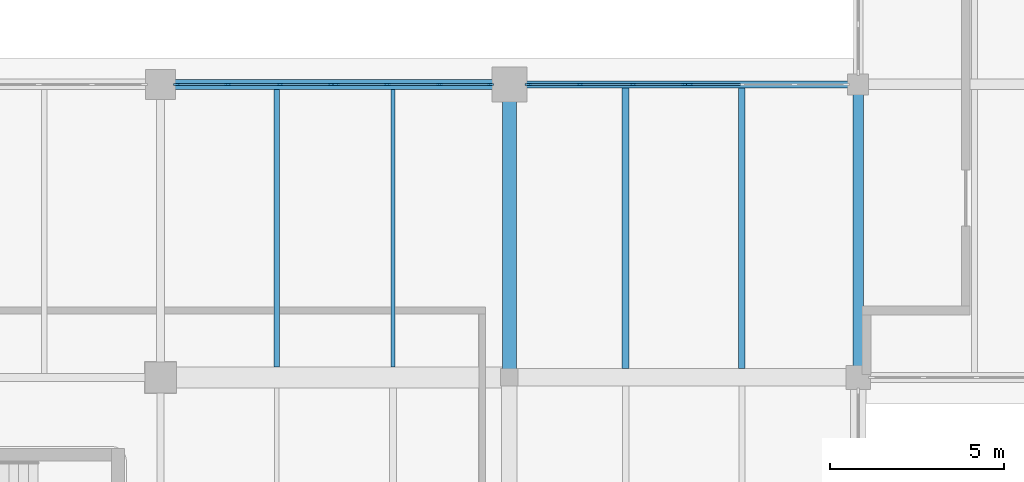
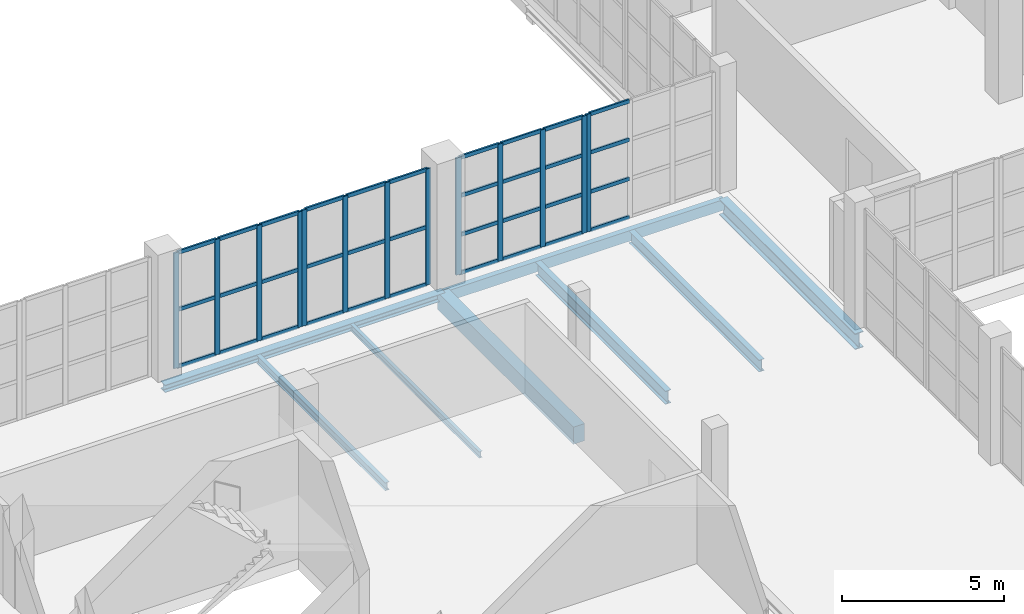
# One storey, part 66 of 121: 47 members, 8 beams, 4 elements without a shape of their own.
"""IFC4 building model written with IfcOpenShell, lengths in metres."""

from ifc_helpers import new_model, si_unit, direction, frame, origin, origin_2d, place, context, subcontext, project, spatial, rectangle, hollow_rectangle, i_section, extrude, material, layer, layer_set, material_profile, profile_set, type_object, element, aggregate, save


model = new_model("IFC4")

# Units and contexts
model_context = context("Model", 3, precision=1e-05, world=origin(), true_north=direction((0.0, 1.0)))
body_context = subcontext(model_context, "Body", "Model", "MODEL_VIEW")
ifc_project = project(units=[si_unit("LENGTHUNIT", "METRE"), si_unit("AREAUNIT", "SQUARE_METRE"), si_unit("VOLUMEUNIT", "CUBIC_METRE"), si_unit("PLANEANGLEUNIT", "RADIAN"), si_unit("MASSUNIT", "GRAM", prefix="KILO")], contexts=[model_context])

# Site, building, storey
site_placement = place(None, origin())
site = spatial("IfcSite", under=ifc_project, at=site_placement, CompositionType="ELEMENT")
building_placement = place(site_placement, origin())
building = spatial("IfcBuilding", under=site, at=building_placement, Name="Zereglee Splitstone Museum", CompositionType="ELEMENT")
storey_placement = place(building_placement, origin())
storey = spatial("IfcBuildingStorey", under=building, at=storey_placement, Name="L00", CompositionType="ELEMENT", Elevation=0.0)

# Beam
ifc_material_1 = material(Name="Concrete C40/50", Category="concrete")
ifc_material_profile_1 = material_profile(ifc_material_1, rectangle(XDim=0.39990234375, YDim=0.64990234375, at=origin_2d()), Name="RC 400x650")
ifc_profile_set_1 = profile_set([ifc_material_profile_1], Name="Concrete C40/50")
beam_type_1 = type_object("IfcBeamType", Name="BG-04", PredefinedType="BEAM", material=ifc_profile_set_1)
beam_1_placement = place(storey_placement, frame((286.0, 30.0, -0.7451171875), z_axis=(0.0, 1.0, 0.0), x_axis=(-1.0, 0.0, 0.0)))
element("IfcBeam", 1, at=beam_1_placement, inside=storey, type_object=beam_type_1, Name="Primary Girder L00 32 (30.0-38.4)", PredefinedType="BEAM", context=body_context, shape_type="SweptSolid", body=[
    extrude(rectangle(XDim=0.39990234375, YDim=0.64990234375, at=origin_2d()), origin(), (0.0, 0.0, 1.0), 8.39990234375),
])

# Curtain wall, member
ifc_material_2 = material(Name="Triple-glazed low-E argon glass and bronze-anodised aluminium", Category="aluminium")
ifc_layer_1 = layer(ifc_material_2, 0.179931640625)
ifc_layer_set_1 = layer_set([ifc_layer_1], Name="Triple-glazed low-E argon glass and bronze-anodised aluminium")
curtain_wall_type_1 = type_object("IfcCurtainWallType", Name="CW-0455-444", PredefinedType="USERDEFINED", material=ifc_layer_set_1)
curtain_wall_1_placement = place(storey_placement, origin())
curtain_wall_1 = element("IfcCurtainWall", 2, at=curtain_wall_1_placement, inside=storey, type_object=curtain_wall_type_1, Name="Glazed Curtain Wall CW-0455-444 (L00)", ObjectType="GLAZED CURTAIN WALL", PredefinedType="USERDEFINED")
ifc_material_3 = material(Name="Thermally broken bronze-anodised aluminium", Category="aluminium")
ifc_material_profile_2 = material_profile(ifc_material_3, rectangle(XDim=0.06494140625, YDim=0.179931640625, at=origin_2d()), Name="CW MULL 65x180")
ifc_profile_set_2 = profile_set([ifc_material_profile_2], Name="Thermally broken bronze-anodised aluminium")
member_type_1 = type_object("IfcMemberType", Name="CWM-01", PredefinedType="MULLION", material=ifc_profile_set_2)
member_1_placement = place(storey_placement, frame((291.172607421875, 38.39990234375, 0.0), z_axis=(0.0, 0.0, 1.0), x_axis=(0.0, -1.0, 0.0)))
member_1 = element("IfcMember", 3, at=member_1_placement, type_object=member_type_1, Name="CW-0455-444 mullion 4", PredefinedType="MULLION", context=body_context, shape_type="SweptSolid", body=[
    extrude(rectangle(XDim=0.06494140625, YDim=0.179931640625, at=origin_2d()), origin(), (0.0, 0.0, 1.0), 4.43994140625),
])

# Curtain wall, members
ifc_layer_2 = layer(ifc_material_2, 0.179931640625)
ifc_layer_set_2 = layer_set([ifc_layer_2], Name="Triple-glazed low-E argon glass and bronze-anodised aluminium")
curtain_wall_type_2 = type_object("IfcCurtainWallType", Name="CW-0455-442", PredefinedType="USERDEFINED", material=ifc_layer_set_2)
curtain_wall_2_placement = place(storey_placement, origin())
curtain_wall_2 = element("IfcCurtainWall", 4, at=curtain_wall_2_placement, inside=storey, type_object=curtain_wall_type_2, Name="Glazed Curtain Wall CW-0455-442 (L00)", ObjectType="GLAZED CURTAIN WALL", PredefinedType="USERDEFINED")
member_2_placement = place(storey_placement, frame((291.027587890625, 38.39990234375, 0.0), z_axis=(0.0, 0.0, 1.0), x_axis=(0.0, -1.0, 0.0)))
member_2 = element("IfcMember", 5, at=member_2_placement, type_object=member_type_1, Name="CW-0455-442 mullion 1", PredefinedType="MULLION", context=body_context, shape_type="SweptSolid", body=[
    extrude(rectangle(XDim=0.06494140625, YDim=0.179931640625, at=origin_2d()), origin(), (0.0, 0.0, 1.0), 4.419921875),
])
member_3_placement = place(storey_placement, frame((289.542724609375, 38.39990234375, 0.0), z_axis=(0.0, 0.0, 1.0), x_axis=(0.0, -1.0, 0.0)))
member_3 = element("IfcMember", 6, at=member_3_placement, type_object=member_type_1, Name="CW-0455-442 mullion 2", PredefinedType="MULLION", context=body_context, shape_type="SweptSolid", body=[
    extrude(rectangle(XDim=0.06494140625, YDim=0.179931640625, at=origin_2d()), origin(), (0.0, 0.0, 1.0), 4.419921875),
])
member_4_placement = place(storey_placement, frame((288.025390625, 38.39990234375, 0.0), z_axis=(0.0, 0.0, 1.0), x_axis=(0.0, -1.0, 0.0)))
member_4 = element("IfcMember", 7, at=member_4_placement, type_object=member_type_1, Name="CW-0455-442 mullion 3", PredefinedType="MULLION", context=body_context, shape_type="SweptSolid", body=[
    extrude(rectangle(XDim=0.06494140625, YDim=0.179931640625, at=origin_2d()), origin(), (0.0, 0.0, 1.0), 4.419921875),
])
member_5_placement = place(storey_placement, frame((286.54052734375, 38.39990234375, 0.0), z_axis=(0.0, 0.0, 1.0), x_axis=(0.0, -1.0, 0.0)))
member_5 = element("IfcMember", 8, at=member_5_placement, type_object=member_type_1, Name="CW-0455-442 mullion 4", PredefinedType="MULLION", context=body_context, shape_type="SweptSolid", body=[
    extrude(rectangle(XDim=0.06494140625, YDim=0.179931640625, at=origin_2d()), origin(), (0.0, 0.0, 1.0), 4.419921875),
])

ifc_layer_3 = layer(ifc_material_2, 0.179931640625)
ifc_layer_set_3 = layer_set([ifc_layer_3], Name="Triple-glazed low-E argon glass and bronze-anodised aluminium")
curtain_wall_type_3 = type_object("IfcCurtainWallType", Name="CW-0449-438", PredefinedType="USERDEFINED", material=ifc_layer_set_3)
curtain_wall_3_placement = place(storey_placement, origin())
curtain_wall_3 = element("IfcCurtainWall", 9, at=curtain_wall_3_placement, inside=storey, type_object=curtain_wall_type_3, Name="Glazed Curtain Wall CW-0449-438 (L00)", ObjectType="GLAZED CURTAIN WALL", PredefinedType="USERDEFINED")
member_6_placement = place(storey_placement, frame((285.45947265625, 38.39990234375, 0.0), z_axis=(0.0, 0.0, 1.0), x_axis=(0.0, -1.0, 0.0)))
member_6 = element("IfcMember", 10, at=member_6_placement, type_object=member_type_1, Name="CW-0449-438 mullion 1", PredefinedType="MULLION", context=body_context, shape_type="SweptSolid", body=[
    extrude(rectangle(XDim=0.06494140625, YDim=0.179931640625, at=origin_2d()), origin(), (0.0, 0.0, 1.0), 4.3798828125),
])
member_7_placement = place(storey_placement, frame((283.99560546875, 38.39990234375, 0.0), z_axis=(0.0, 0.0, 1.0), x_axis=(0.0, -1.0, 0.0)))
member_7 = element("IfcMember", 11, at=member_7_placement, type_object=member_type_1, Name="CW-0449-438 mullion 2", PredefinedType="MULLION", context=body_context, shape_type="SweptSolid", body=[
    extrude(rectangle(XDim=0.06494140625, YDim=0.179931640625, at=origin_2d()), origin(), (0.0, 0.0, 1.0), 4.3798828125),
])
member_8_placement = place(storey_placement, frame((282.4990234375, 38.39990234375, 0.0), z_axis=(0.0, 0.0, 1.0), x_axis=(0.0, -1.0, 0.0)))
member_8 = element("IfcMember", 12, at=member_8_placement, type_object=member_type_1, Name="CW-0449-438 mullion 3", PredefinedType="MULLION", context=body_context, shape_type="SweptSolid", body=[
    extrude(rectangle(XDim=0.06494140625, YDim=0.179931640625, at=origin_2d()), origin(), (0.0, 0.0, 1.0), 4.3798828125),
])
member_9_placement = place(storey_placement, frame((281.034912109375, 38.39990234375, 0.0), z_axis=(0.0, 0.0, 1.0), x_axis=(0.0, -1.0, 0.0)))
member_9 = element("IfcMember", 13, at=member_9_placement, type_object=member_type_1, Name="CW-0449-438 mullion 4", PredefinedType="MULLION", context=body_context, shape_type="SweptSolid", body=[
    extrude(rectangle(XDim=0.06494140625, YDim=0.179931640625, at=origin_2d()), origin(), (0.0, 0.0, 1.0), 4.3798828125),
])

ifc_layer_4 = layer(ifc_material_2, 0.179931640625)
ifc_layer_set_4 = layer_set([ifc_layer_4], Name="Triple-glazed low-E argon glass and bronze-anodised aluminium")
curtain_wall_type_4 = type_object("IfcCurtainWallType", Name="CW-0449-436", PredefinedType="USERDEFINED", material=ifc_layer_set_4)
curtain_wall_4_placement = place(storey_placement, origin())
curtain_wall_4 = element("IfcCurtainWall", 14, at=curtain_wall_4_placement, inside=storey, type_object=curtain_wall_type_4, Name="Glazed Curtain Wall CW-0449-436 (L00)", ObjectType="GLAZED CURTAIN WALL", PredefinedType="USERDEFINED")
member_10_placement = place(storey_placement, frame((280.889892578125, 38.39990234375, 0.0), z_axis=(0.0, 0.0, 1.0), x_axis=(0.0, -1.0, 0.0)))
member_10 = element("IfcMember", 15, at=member_10_placement, type_object=member_type_1, Name="CW-0449-436 mullion 1", PredefinedType="MULLION", context=body_context, shape_type="SweptSolid", body=[
    extrude(rectangle(XDim=0.06494140625, YDim=0.179931640625, at=origin_2d()), origin(), (0.0, 0.0, 1.0), 4.360107421875),
])
member_11_placement = place(storey_placement, frame((279.426025390625, 38.39990234375, 0.0), z_axis=(0.0, 0.0, 1.0), x_axis=(0.0, -1.0, 0.0)))
member_11 = element("IfcMember", 16, at=member_11_placement, type_object=member_type_1, Name="CW-0449-436 mullion 2", PredefinedType="MULLION", context=body_context, shape_type="SweptSolid", body=[
    extrude(rectangle(XDim=0.06494140625, YDim=0.179931640625, at=origin_2d()), origin(), (0.0, 0.0, 1.0), 4.360107421875),
])
member_12_placement = place(storey_placement, frame((277.929443359375, 38.39990234375, 0.0), z_axis=(0.0, 0.0, 1.0), x_axis=(0.0, -1.0, 0.0)))
member_12 = element("IfcMember", 17, at=member_12_placement, type_object=member_type_1, Name="CW-0449-436 mullion 3", PredefinedType="MULLION", context=body_context, shape_type="SweptSolid", body=[
    extrude(rectangle(XDim=0.06494140625, YDim=0.179931640625, at=origin_2d()), origin(), (0.0, 0.0, 1.0), 4.360107421875),
])
member_13_placement = place(storey_placement, frame((276.465576171875, 38.39990234375, 0.0), z_axis=(0.0, 0.0, 1.0), x_axis=(0.0, -1.0, 0.0)))
member_13 = element("IfcMember", 18, at=member_13_placement, type_object=member_type_1, Name="CW-0449-436 mullion 4", PredefinedType="MULLION", context=body_context, shape_type="SweptSolid", body=[
    extrude(rectangle(XDim=0.06494140625, YDim=0.179931640625, at=origin_2d()), origin(), (0.0, 0.0, 1.0), 4.360107421875),
])

# Member
ifc_material_profile_3 = material_profile(ifc_material_3, rectangle(XDim=0.06494140625, YDim=0.139892578125, at=origin_2d()), Name="CW TRAN 65x140")
ifc_profile_set_3 = profile_set([ifc_material_profile_3], Name="Thermally broken bronze-anodised aluminium")
member_type_2 = type_object("IfcMemberType", Name="CWT-01", PredefinedType="USERDEFINED", material=ifc_profile_set_3)
member_14_placement = place(storey_placement, frame((292.624755859375, 38.39990234375, 0.032470703125), z_axis=(-1.0, 0.0, 0.0), x_axis=(0.0, -1.0, 0.0)))
member_14 = element("IfcMember", 19, at=member_14_placement, type_object=member_type_2, Name="CW-0455-444 transom 3.1", ObjectType="TRANSOM", PredefinedType="USERDEFINED", context=body_context, shape_type="SweptSolid", body=[
    extrude(rectangle(XDim=0.06494140625, YDim=0.139892578125, at=origin_2d()), origin(), (0.0, 0.0, 1.0), 1.419677734375),
])

member_15_placement = place(storey_placement, frame((292.624755859375, 38.39990234375, 1.47998046875), z_axis=(-1.0, 0.0, 0.0), x_axis=(0.0, -1.0, 0.0)))
member_15 = element("IfcMember", 20, at=member_15_placement, type_object=member_type_2, Name="CW-0455-444 transom 3.2", ObjectType="TRANSOM", PredefinedType="USERDEFINED", context=body_context, shape_type="SweptSolid", body=[
    extrude(rectangle(XDim=0.06494140625, YDim=0.139892578125, at=origin_2d()), origin(), (0.0, 0.0, 1.0), 1.419677734375),
])

member_16_placement = place(storey_placement, frame((292.624755859375, 38.39990234375, 2.9599609375), z_axis=(-1.0, 0.0, 0.0), x_axis=(0.0, -1.0, 0.0)))
member_16 = element("IfcMember", 21, at=member_16_placement, type_object=member_type_2, Name="CW-0455-444 transom 3.3", ObjectType="TRANSOM", PredefinedType="USERDEFINED", context=body_context, shape_type="SweptSolid", body=[
    extrude(rectangle(XDim=0.06494140625, YDim=0.139892578125, at=origin_2d()), origin(), (0.0, 0.0, 1.0), 1.419677734375),
])

member_17_placement = place(storey_placement, frame((292.624755859375, 38.39990234375, 4.407470703125), z_axis=(-1.0, 0.0, 0.0), x_axis=(0.0, -1.0, 0.0)))
member_17 = element("IfcMember", 22, at=member_17_placement, type_object=member_type_2, Name="CW-0455-444 transom 3.4", ObjectType="TRANSOM", PredefinedType="USERDEFINED", context=body_context, shape_type="SweptSolid", body=[
    extrude(rectangle(XDim=0.06494140625, YDim=0.139892578125, at=origin_2d()), origin(), (0.0, 0.0, 1.0), 1.419677734375),
])

aggregate(curtain_wall_1, [member_1, member_14, member_15, member_16, member_17])

member_18_placement = place(storey_placement, frame((290.9951171875, 38.39990234375, 0.032470703125), z_axis=(-1.0, 0.0, 0.0), x_axis=(0.0, -1.0, 0.0)))
member_18 = element("IfcMember", 23, at=member_18_placement, type_object=member_type_2, Name="CW-0455-442 transom 1.1", ObjectType="TRANSOM", PredefinedType="USERDEFINED", context=body_context, shape_type="SweptSolid", body=[
    extrude(rectangle(XDim=0.06494140625, YDim=0.139892578125, at=origin_2d()), origin(), (0.0, 0.0, 1.0), 1.419921875),
])

member_19_placement = place(storey_placement, frame((290.9951171875, 38.39990234375, 1.473388671875), z_axis=(-1.0, 0.0, 0.0), x_axis=(0.0, -1.0, 0.0)))
member_19 = element("IfcMember", 24, at=member_19_placement, type_object=member_type_2, Name="CW-0455-442 transom 1.2", ObjectType="TRANSOM", PredefinedType="USERDEFINED", context=body_context, shape_type="SweptSolid", body=[
    extrude(rectangle(XDim=0.06494140625, YDim=0.139892578125, at=origin_2d()), origin(), (0.0, 0.0, 1.0), 1.419921875),
])

member_20_placement = place(storey_placement, frame((290.9951171875, 38.39990234375, 2.94677734375), z_axis=(-1.0, 0.0, 0.0), x_axis=(0.0, -1.0, 0.0)))
member_20 = element("IfcMember", 25, at=member_20_placement, type_object=member_type_2, Name="CW-0455-442 transom 1.3", ObjectType="TRANSOM", PredefinedType="USERDEFINED", context=body_context, shape_type="SweptSolid", body=[
    extrude(rectangle(XDim=0.06494140625, YDim=0.139892578125, at=origin_2d()), origin(), (0.0, 0.0, 1.0), 1.419921875),
])

member_21_placement = place(storey_placement, frame((290.9951171875, 38.39990234375, 4.387451171875), z_axis=(-1.0, 0.0, 0.0), x_axis=(0.0, -1.0, 0.0)))
member_21 = element("IfcMember", 26, at=member_21_placement, type_object=member_type_2, Name="CW-0455-442 transom 1.4", ObjectType="TRANSOM", PredefinedType="USERDEFINED", context=body_context, shape_type="SweptSolid", body=[
    extrude(rectangle(XDim=0.06494140625, YDim=0.139892578125, at=origin_2d()), origin(), (0.0, 0.0, 1.0), 1.419921875),
])

member_22_placement = place(storey_placement, frame((289.51025390625, 38.39990234375, 0.032470703125), z_axis=(-1.0, 0.0, 0.0), x_axis=(0.0, -1.0, 0.0)))
member_22 = element("IfcMember", 27, at=member_22_placement, type_object=member_type_2, Name="CW-0455-442 transom 2.1", ObjectType="TRANSOM", PredefinedType="USERDEFINED", context=body_context, shape_type="SweptSolid", body=[
    extrude(rectangle(XDim=0.06494140625, YDim=0.139892578125, at=origin_2d()), origin(), (0.0, 0.0, 1.0), 1.452392578125),
])

member_23_placement = place(storey_placement, frame((289.51025390625, 38.39990234375, 1.473388671875), z_axis=(-1.0, 0.0, 0.0), x_axis=(0.0, -1.0, 0.0)))
member_23 = element("IfcMember", 28, at=member_23_placement, type_object=member_type_2, Name="CW-0455-442 transom 2.2", ObjectType="TRANSOM", PredefinedType="USERDEFINED", context=body_context, shape_type="SweptSolid", body=[
    extrude(rectangle(XDim=0.06494140625, YDim=0.139892578125, at=origin_2d()), origin(), (0.0, 0.0, 1.0), 1.452392578125),
])

member_24_placement = place(storey_placement, frame((289.51025390625, 38.39990234375, 2.94677734375), z_axis=(-1.0, 0.0, 0.0), x_axis=(0.0, -1.0, 0.0)))
member_24 = element("IfcMember", 29, at=member_24_placement, type_object=member_type_2, Name="CW-0455-442 transom 2.3", ObjectType="TRANSOM", PredefinedType="USERDEFINED", context=body_context, shape_type="SweptSolid", body=[
    extrude(rectangle(XDim=0.06494140625, YDim=0.139892578125, at=origin_2d()), origin(), (0.0, 0.0, 1.0), 1.452392578125),
])

member_25_placement = place(storey_placement, frame((289.51025390625, 38.39990234375, 4.387451171875), z_axis=(-1.0, 0.0, 0.0), x_axis=(0.0, -1.0, 0.0)))
member_25 = element("IfcMember", 30, at=member_25_placement, type_object=member_type_2, Name="CW-0455-442 transom 2.4", ObjectType="TRANSOM", PredefinedType="USERDEFINED", context=body_context, shape_type="SweptSolid", body=[
    extrude(rectangle(XDim=0.06494140625, YDim=0.139892578125, at=origin_2d()), origin(), (0.0, 0.0, 1.0), 1.452392578125),
])

member_26_placement = place(storey_placement, frame((287.992919921875, 38.39990234375, 0.032470703125), z_axis=(-1.0, 0.0, 0.0), x_axis=(0.0, -1.0, 0.0)))
member_26 = element("IfcMember", 31, at=member_26_placement, type_object=member_type_2, Name="CW-0455-442 transom 3.1", ObjectType="TRANSOM", PredefinedType="USERDEFINED", context=body_context, shape_type="SweptSolid", body=[
    extrude(rectangle(XDim=0.06494140625, YDim=0.139892578125, at=origin_2d()), origin(), (0.0, 0.0, 1.0), 1.419921875),
])

member_27_placement = place(storey_placement, frame((287.992919921875, 38.39990234375, 1.473388671875), z_axis=(-1.0, 0.0, 0.0), x_axis=(0.0, -1.0, 0.0)))
member_27 = element("IfcMember", 32, at=member_27_placement, type_object=member_type_2, Name="CW-0455-442 transom 3.2", ObjectType="TRANSOM", PredefinedType="USERDEFINED", context=body_context, shape_type="SweptSolid", body=[
    extrude(rectangle(XDim=0.06494140625, YDim=0.139892578125, at=origin_2d()), origin(), (0.0, 0.0, 1.0), 1.419921875),
])

member_28_placement = place(storey_placement, frame((287.992919921875, 38.39990234375, 2.94677734375), z_axis=(-1.0, 0.0, 0.0), x_axis=(0.0, -1.0, 0.0)))
member_28 = element("IfcMember", 33, at=member_28_placement, type_object=member_type_2, Name="CW-0455-442 transom 3.3", ObjectType="TRANSOM", PredefinedType="USERDEFINED", context=body_context, shape_type="SweptSolid", body=[
    extrude(rectangle(XDim=0.06494140625, YDim=0.139892578125, at=origin_2d()), origin(), (0.0, 0.0, 1.0), 1.419921875),
])

member_29_placement = place(storey_placement, frame((287.992919921875, 38.39990234375, 4.387451171875), z_axis=(-1.0, 0.0, 0.0), x_axis=(0.0, -1.0, 0.0)))
member_29 = element("IfcMember", 34, at=member_29_placement, type_object=member_type_2, Name="CW-0455-442 transom 3.4", ObjectType="TRANSOM", PredefinedType="USERDEFINED", context=body_context, shape_type="SweptSolid", body=[
    extrude(rectangle(XDim=0.06494140625, YDim=0.139892578125, at=origin_2d()), origin(), (0.0, 0.0, 1.0), 1.419921875),
])

aggregate(curtain_wall_2, [member_2, member_3, member_4, member_5, member_18, member_19, member_20, member_21, member_22, member_23, member_24, member_25, member_26, member_27, member_28, member_29])

member_30_placement = place(storey_placement, frame((285.427001953125, 38.39990234375, 0.032470703125), z_axis=(-1.0, 0.0, 0.0), x_axis=(0.0, -1.0, 0.0)))
member_30 = element("IfcMember", 35, at=member_30_placement, type_object=member_type_2, Name="CW-0449-438 transom 1.1", ObjectType="TRANSOM", PredefinedType="USERDEFINED", context=body_context, shape_type="SweptSolid", body=[
    extrude(rectangle(XDim=0.06494140625, YDim=0.139892578125, at=origin_2d()), origin(), (0.0, 0.0, 1.0), 1.39892578125),
])

member_31_placement = place(storey_placement, frame((285.427001953125, 38.39990234375, 2.18994140625), z_axis=(-1.0, 0.0, 0.0), x_axis=(0.0, -1.0, 0.0)))
member_31 = element("IfcMember", 36, at=member_31_placement, type_object=member_type_2, Name="CW-0449-438 transom 1.2", ObjectType="TRANSOM", PredefinedType="USERDEFINED", context=body_context, shape_type="SweptSolid", body=[
    extrude(rectangle(XDim=0.06494140625, YDim=0.139892578125, at=origin_2d()), origin(), (0.0, 0.0, 1.0), 1.39892578125),
])

member_32_placement = place(storey_placement, frame((285.427001953125, 38.39990234375, 4.347412109375), z_axis=(-1.0, 0.0, 0.0), x_axis=(0.0, -1.0, 0.0)))
member_32 = element("IfcMember", 37, at=member_32_placement, type_object=member_type_2, Name="CW-0449-438 transom 1.3", ObjectType="TRANSOM", PredefinedType="USERDEFINED", context=body_context, shape_type="SweptSolid", body=[
    extrude(rectangle(XDim=0.06494140625, YDim=0.139892578125, at=origin_2d()), origin(), (0.0, 0.0, 1.0), 1.39892578125),
])

member_33_placement = place(storey_placement, frame((283.962890625, 38.39990234375, 0.032470703125), z_axis=(-1.0, 0.0, 0.0), x_axis=(0.0, -1.0, 0.0)))
member_33 = element("IfcMember", 38, at=member_33_placement, type_object=member_type_2, Name="CW-0449-438 transom 2.1", ObjectType="TRANSOM", PredefinedType="USERDEFINED", context=body_context, shape_type="SweptSolid", body=[
    extrude(rectangle(XDim=0.06494140625, YDim=0.139892578125, at=origin_2d()), origin(), (0.0, 0.0, 1.0), 1.431396484375),
])

member_34_placement = place(storey_placement, frame((283.962890625, 38.39990234375, 2.18994140625), z_axis=(-1.0, 0.0, 0.0), x_axis=(0.0, -1.0, 0.0)))
member_34 = element("IfcMember", 39, at=member_34_placement, type_object=member_type_2, Name="CW-0449-438 transom 2.2", ObjectType="TRANSOM", PredefinedType="USERDEFINED", context=body_context, shape_type="SweptSolid", body=[
    extrude(rectangle(XDim=0.06494140625, YDim=0.139892578125, at=origin_2d()), origin(), (0.0, 0.0, 1.0), 1.431396484375),
])

member_35_placement = place(storey_placement, frame((283.962890625, 38.39990234375, 4.347412109375), z_axis=(-1.0, 0.0, 0.0), x_axis=(0.0, -1.0, 0.0)))
member_35 = element("IfcMember", 40, at=member_35_placement, type_object=member_type_2, Name="CW-0449-438 transom 2.3", ObjectType="TRANSOM", PredefinedType="USERDEFINED", context=body_context, shape_type="SweptSolid", body=[
    extrude(rectangle(XDim=0.06494140625, YDim=0.139892578125, at=origin_2d()), origin(), (0.0, 0.0, 1.0), 1.431396484375),
])

member_36_placement = place(storey_placement, frame((282.466552734375, 38.39990234375, 0.032470703125), z_axis=(-1.0, 0.0, 0.0), x_axis=(0.0, -1.0, 0.0)))
member_36 = element("IfcMember", 41, at=member_36_placement, type_object=member_type_2, Name="CW-0449-438 transom 3.1", ObjectType="TRANSOM", PredefinedType="USERDEFINED", context=body_context, shape_type="SweptSolid", body=[
    extrude(rectangle(XDim=0.06494140625, YDim=0.139892578125, at=origin_2d()), origin(), (0.0, 0.0, 1.0), 1.399169921875),
])

member_37_placement = place(storey_placement, frame((282.466552734375, 38.39990234375, 2.18994140625), z_axis=(-1.0, 0.0, 0.0), x_axis=(0.0, -1.0, 0.0)))
member_37 = element("IfcMember", 42, at=member_37_placement, type_object=member_type_2, Name="CW-0449-438 transom 3.2", ObjectType="TRANSOM", PredefinedType="USERDEFINED", context=body_context, shape_type="SweptSolid", body=[
    extrude(rectangle(XDim=0.06494140625, YDim=0.139892578125, at=origin_2d()), origin(), (0.0, 0.0, 1.0), 1.399169921875),
])

member_38_placement = place(storey_placement, frame((282.466552734375, 38.39990234375, 4.347412109375), z_axis=(-1.0, 0.0, 0.0), x_axis=(0.0, -1.0, 0.0)))
member_38 = element("IfcMember", 43, at=member_38_placement, type_object=member_type_2, Name="CW-0449-438 transom 3.3", ObjectType="TRANSOM", PredefinedType="USERDEFINED", context=body_context, shape_type="SweptSolid", body=[
    extrude(rectangle(XDim=0.06494140625, YDim=0.139892578125, at=origin_2d()), origin(), (0.0, 0.0, 1.0), 1.399169921875),
])

aggregate(curtain_wall_3, [member_6, member_7, member_8, member_9, member_30, member_31, member_32, member_33, member_34, member_35, member_36, member_37, member_38])

member_39_placement = place(storey_placement, frame((280.857421875, 38.39990234375, 0.032470703125), z_axis=(-1.0, 0.0, 0.0), x_axis=(0.0, -1.0, 0.0)))
member_39 = element("IfcMember", 44, at=member_39_placement, type_object=member_type_2, Name="CW-0449-436 transom 1.1", ObjectType="TRANSOM", PredefinedType="USERDEFINED", context=body_context, shape_type="SweptSolid", body=[
    extrude(rectangle(XDim=0.06494140625, YDim=0.139892578125, at=origin_2d()), origin(), (0.0, 0.0, 1.0), 1.39892578125),
])

member_40_placement = place(storey_placement, frame((280.857421875, 38.39990234375, 2.179931640625), z_axis=(-1.0, 0.0, 0.0), x_axis=(0.0, -1.0, 0.0)))
member_40 = element("IfcMember", 45, at=member_40_placement, type_object=member_type_2, Name="CW-0449-436 transom 1.2", ObjectType="TRANSOM", PredefinedType="USERDEFINED", context=body_context, shape_type="SweptSolid", body=[
    extrude(rectangle(XDim=0.06494140625, YDim=0.139892578125, at=origin_2d()), origin(), (0.0, 0.0, 1.0), 1.39892578125),
])

member_41_placement = place(storey_placement, frame((280.857421875, 38.39990234375, 4.327392578125), z_axis=(-1.0, 0.0, 0.0), x_axis=(0.0, -1.0, 0.0)))
member_41 = element("IfcMember", 46, at=member_41_placement, type_object=member_type_2, Name="CW-0449-436 transom 1.3", ObjectType="TRANSOM", PredefinedType="USERDEFINED", context=body_context, shape_type="SweptSolid", body=[
    extrude(rectangle(XDim=0.06494140625, YDim=0.139892578125, at=origin_2d()), origin(), (0.0, 0.0, 1.0), 1.39892578125),
])

member_42_placement = place(storey_placement, frame((279.3935546875, 38.39990234375, 0.032470703125), z_axis=(-1.0, 0.0, 0.0), x_axis=(0.0, -1.0, 0.0)))
member_42 = element("IfcMember", 47, at=member_42_placement, type_object=member_type_2, Name="CW-0449-436 transom 2.1", ObjectType="TRANSOM", PredefinedType="USERDEFINED", context=body_context, shape_type="SweptSolid", body=[
    extrude(rectangle(XDim=0.06494140625, YDim=0.139892578125, at=origin_2d()), origin(), (0.0, 0.0, 1.0), 1.431640625),
])

member_43_placement = place(storey_placement, frame((279.3935546875, 38.39990234375, 2.179931640625), z_axis=(-1.0, 0.0, 0.0), x_axis=(0.0, -1.0, 0.0)))
member_43 = element("IfcMember", 48, at=member_43_placement, type_object=member_type_2, Name="CW-0449-436 transom 2.2", ObjectType="TRANSOM", PredefinedType="USERDEFINED", context=body_context, shape_type="SweptSolid", body=[
    extrude(rectangle(XDim=0.06494140625, YDim=0.139892578125, at=origin_2d()), origin(), (0.0, 0.0, 1.0), 1.431640625),
])

member_44_placement = place(storey_placement, frame((279.3935546875, 38.39990234375, 4.327392578125), z_axis=(-1.0, 0.0, 0.0), x_axis=(0.0, -1.0, 0.0)))
member_44 = element("IfcMember", 49, at=member_44_placement, type_object=member_type_2, Name="CW-0449-436 transom 2.3", ObjectType="TRANSOM", PredefinedType="USERDEFINED", context=body_context, shape_type="SweptSolid", body=[
    extrude(rectangle(XDim=0.06494140625, YDim=0.139892578125, at=origin_2d()), origin(), (0.0, 0.0, 1.0), 1.431640625),
])

member_45_placement = place(storey_placement, frame((277.89697265625, 38.39990234375, 0.032470703125), z_axis=(-1.0, 0.0, 0.0), x_axis=(0.0, -1.0, 0.0)))
member_45 = element("IfcMember", 50, at=member_45_placement, type_object=member_type_2, Name="CW-0449-436 transom 3.1", ObjectType="TRANSOM", PredefinedType="USERDEFINED", context=body_context, shape_type="SweptSolid", body=[
    extrude(rectangle(XDim=0.06494140625, YDim=0.139892578125, at=origin_2d()), origin(), (0.0, 0.0, 1.0), 1.39892578125),
])

member_46_placement = place(storey_placement, frame((277.89697265625, 38.39990234375, 2.179931640625), z_axis=(-1.0, 0.0, 0.0), x_axis=(0.0, -1.0, 0.0)))
member_46 = element("IfcMember", 51, at=member_46_placement, type_object=member_type_2, Name="CW-0449-436 transom 3.2", ObjectType="TRANSOM", PredefinedType="USERDEFINED", context=body_context, shape_type="SweptSolid", body=[
    extrude(rectangle(XDim=0.06494140625, YDim=0.139892578125, at=origin_2d()), origin(), (0.0, 0.0, 1.0), 1.39892578125),
])

member_47_placement = place(storey_placement, frame((277.89697265625, 38.39990234375, 4.327392578125), z_axis=(-1.0, 0.0, 0.0), x_axis=(0.0, -1.0, 0.0)))
member_47 = element("IfcMember", 52, at=member_47_placement, type_object=member_type_2, Name="CW-0449-436 transom 3.3", ObjectType="TRANSOM", PredefinedType="USERDEFINED", context=body_context, shape_type="SweptSolid", body=[
    extrude(rectangle(XDim=0.06494140625, YDim=0.139892578125, at=origin_2d()), origin(), (0.0, 0.0, 1.0), 1.39892578125),
])

aggregate(curtain_wall_4, [member_10, member_11, member_12, member_13, member_39, member_40, member_41, member_42, member_43, member_44, member_45, member_46, member_47])

# Beams
ifc_material_4 = material(Name="Steel S355J2", Category="steel")
ifc_material_profile_4 = material_profile(ifc_material_4, i_section(OverallWidth=0.300048828125, OverallDepth=0.60009765625, WebThickness=0.015380859375, FlangeThickness=0.030029296875, FilletRadius=0.027099609375, at=origin_2d()), Name="HE 600 B")
ifc_profile_set_4 = profile_set([ifc_material_profile_4], Name="Steel S355J2")
beam_type_2 = type_object("IfcBeamType", Name="BG-10", PredefinedType="BEAM", material=ifc_profile_set_4)
beam_2_placement = place(storey_placement, frame((296.0, 30.0, -0.719970703125), z_axis=(0.0, 1.0, 0.0), x_axis=(-1.0, 0.0, 0.0)))
element("IfcBeam", 53, at=beam_2_placement, inside=storey, type_object=beam_type_2, Name="Primary Girder L00 33 (30.0-38.4)", PredefinedType="BEAM", context=body_context, shape_type="SweptSolid", body=[
    extrude(i_section(OverallWidth=0.300048828125, OverallDepth=0.60009765625, WebThickness=0.015380859375, FlangeThickness=0.030029296875, FilletRadius=0.027099609375, at=origin_2d()), origin(), (0.0, 0.0, 1.0), 8.39990234375),
])
ifc_material_profile_5 = material_profile(ifc_material_4, i_section(OverallWidth=0.1201171875, OverallDepth=0.239990234375, WebThickness=0.006103515625, FlangeThickness=0.009765625, FilletRadius=0.014892578125, at=origin_2d()), Name="IPE 240")
ifc_profile_set_5 = profile_set([ifc_material_profile_5], Name="Steel S355J2")
beam_type_3 = type_object("IfcBeamType", Name="BJ-07", PredefinedType="JOIST", material=ifc_profile_set_5)
beam_3_placement = place(storey_placement, frame((282.666748046875, 30.300048828125, -0.5400390625), z_axis=(0.0, 1.0, 0.0), x_axis=(-1.0, 0.0, 0.0)))
element("IfcBeam", 54, at=beam_3_placement, inside=storey, type_object=beam_type_3, Name="Secondary Floor Joist L00-0384", PredefinedType="JOIST", context=body_context, shape_type="SweptSolid", body=[
    extrude(i_section(OverallWidth=0.1201171875, OverallDepth=0.239990234375, WebThickness=0.006103515625, FlangeThickness=0.009765625, FilletRadius=0.014892578125, at=origin_2d()), origin(), (0.0, 0.0, 1.0), 7.9599609375),
])
ifc_material_profile_6 = material_profile(ifc_material_4, i_section(OverallWidth=0.14990234375, OverallDepth=0.300048828125, WebThickness=0.007080078125, FlangeThickness=0.0107421875, FilletRadius=0.014892578125, at=origin_2d()), Name="IPE 300")
ifc_profile_set_6 = profile_set([ifc_material_profile_6], Name="Steel S355J2")
beam_type_4 = type_object("IfcBeamType", Name="BJ-06", PredefinedType="JOIST", material=ifc_profile_set_6)
beam_4_placement = place(storey_placement, frame((279.333251953125, 30.300048828125, -0.570068359375), z_axis=(0.0, 1.0, 0.0), x_axis=(-1.0, 0.0, 0.0)))
element("IfcBeam", 55, at=beam_4_placement, inside=storey, type_object=beam_type_4, Name="Secondary Floor Joist L00-0383", PredefinedType="JOIST", context=body_context, shape_type="SweptSolid", body=[
    extrude(i_section(OverallWidth=0.14990234375, OverallDepth=0.300048828125, WebThickness=0.007080078125, FlangeThickness=0.0107421875, FilletRadius=0.014892578125, at=origin_2d()), origin(), (0.0, 0.0, 1.0), 7.9599609375),
])
ifc_material_profile_7 = material_profile(ifc_material_4, i_section(OverallWidth=0.18994140625, OverallDepth=0.449951171875, WebThickness=0.009521484375, FlangeThickness=0.0146484375, FilletRadius=0.02099609375, at=origin_2d()), Name="IPE 450")
ifc_profile_set_7 = profile_set([ifc_material_profile_7], Name="Steel S355J2")
beam_type_5 = type_object("IfcBeamType", Name="BJ-02", PredefinedType="JOIST", material=ifc_profile_set_7)
beam_5_placement = place(storey_placement, frame((292.666748046875, 30.25, -0.64501953125), z_axis=(0.0, 1.0, 0.0), x_axis=(-1.0, 0.0, 0.0)))
element("IfcBeam", 56, at=beam_5_placement, inside=storey, type_object=beam_type_5, Name="Secondary Floor Joist L00-0386", PredefinedType="JOIST", context=body_context, shape_type="SweptSolid", body=[
    extrude(i_section(OverallWidth=0.18994140625, OverallDepth=0.449951171875, WebThickness=0.009521484375, FlangeThickness=0.0146484375, FilletRadius=0.02099609375, at=origin_2d()), origin(), (0.0, 0.0, 1.0), 8.050048828125),
])
ifc_material_profile_8 = material_profile(ifc_material_4, i_section(OverallWidth=0.199951171875, OverallDepth=0.5, WebThickness=0.01025390625, FlangeThickness=0.01611328125, FilletRadius=0.02099609375, at=origin_2d()), Name="IPE 500")
ifc_profile_set_8 = profile_set([ifc_material_profile_8], Name="Steel S355J2")
beam_type_6 = type_object("IfcBeamType", Name="BJ-01", PredefinedType="JOIST", material=ifc_profile_set_8)
beam_6_placement = place(storey_placement, frame((289.333251953125, 30.25, -0.669921875), z_axis=(0.0, 1.0, 0.0), x_axis=(-1.0, 0.0, 0.0)))
element("IfcBeam", 57, at=beam_6_placement, inside=storey, type_object=beam_type_6, Name="Secondary Floor Joist L00-0385", PredefinedType="JOIST", context=body_context, shape_type="SweptSolid", body=[
    extrude(i_section(OverallWidth=0.199951171875, OverallDepth=0.5, WebThickness=0.01025390625, FlangeThickness=0.01611328125, FilletRadius=0.02099609375, at=origin_2d()), origin(), (0.0, 0.0, 1.0), 8.050048828125),
])
ifc_material_profile_9 = material_profile(ifc_material_4, i_section(OverallWidth=0.280029296875, OverallDepth=0.280029296875, WebThickness=0.010498046875, FlangeThickness=0.01806640625, FilletRadius=0.02392578125, at=origin_2d()), Name="HE 280 B")
ifc_profile_set_9 = profile_set([ifc_material_profile_9], Name="Steel S355J2")
beam_type_7 = type_object("IfcBeamType", Name="SP-03", PredefinedType="SPANDREL", material=ifc_profile_set_9)
beam_7_placement = place(storey_placement, frame((276.0, 38.39990234375, -0.56005859375), z_axis=(1.0, 0.0, 0.0), x_axis=(0.0, 1.0, 0.0)))
element("IfcBeam", 58, at=beam_7_placement, inside=storey, type_object=beam_type_7, Name="Primary Girder L00 E (276.0-286.0)", PredefinedType="SPANDREL", context=body_context, shape_type="SweptSolid", body=[
    extrude(i_section(OverallWidth=0.280029296875, OverallDepth=0.280029296875, WebThickness=0.010498046875, FlangeThickness=0.01806640625, FilletRadius=0.02392578125, at=origin_2d()), origin(), (0.0, 0.0, 1.0), 10.0),
])
ifc_material_5 = material(Name="Steel S355J2H", Category="steel")
ifc_material_profile_10 = material_profile(ifc_material_5, hollow_rectangle(XDim=0.199951171875, YDim=0.39990234375, WallThickness=0.01611328125, at=origin_2d()), Name="RHS 400x200x16")
ifc_profile_set_10 = profile_set([ifc_material_profile_10], Name="Steel S355J2H")
beam_type_8 = type_object("IfcBeamType", Name="SP-04", PredefinedType="SPANDREL", material=ifc_profile_set_10)
beam_8_placement = place(storey_placement, frame((286.0, 38.39990234375, -0.6201171875), z_axis=(1.0, 0.0, 0.0), x_axis=(0.0, 1.0, 0.0)))
element("IfcBeam", 59, at=beam_8_placement, inside=storey, type_object=beam_type_8, Name="Primary Girder L00 E (286.0-296.0)", PredefinedType="SPANDREL", context=body_context, shape_type="SweptSolid", body=[
    extrude(hollow_rectangle(XDim=0.199951171875, YDim=0.39990234375, WallThickness=0.01611328125, at=origin_2d()), origin(), (0.0, 0.0, 1.0), 10.0),
])

save(model, "model.ifc")
